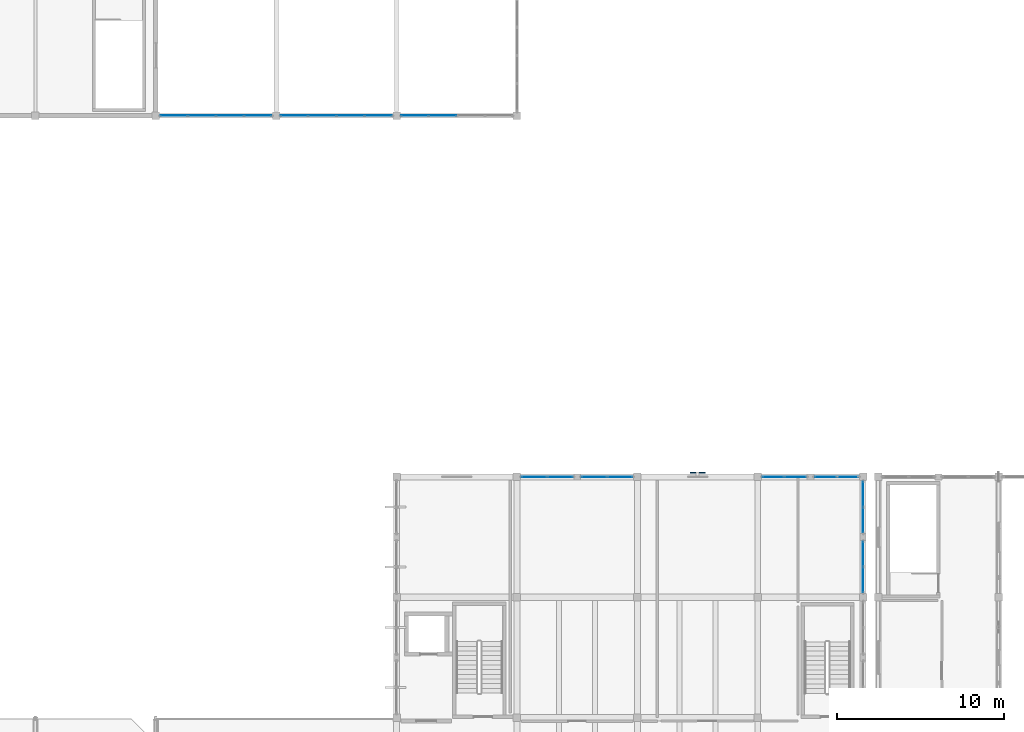
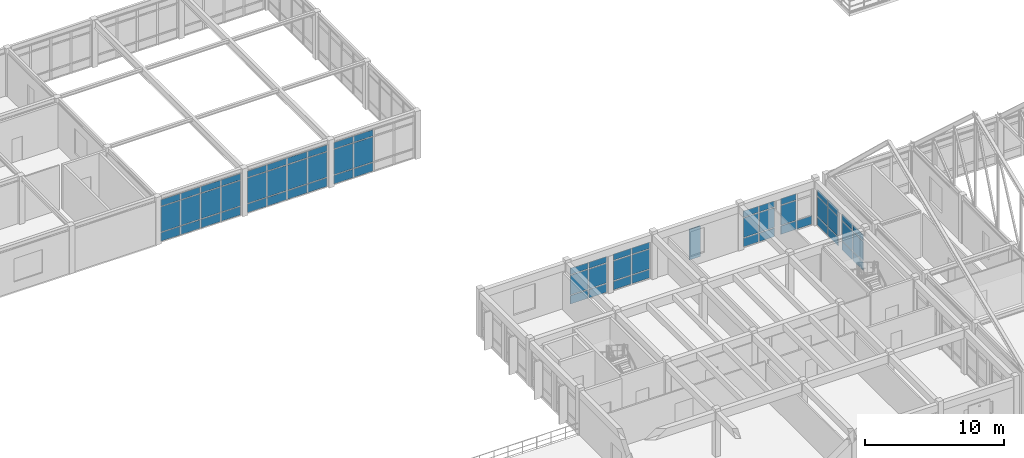
# One storey, part 81 of 136: 65 plates, 9 elements without a shape of their own.
"""IFC4 building model written with IfcOpenShell, lengths in metres."""

from ifc_helpers import new_model, si_unit, direction, frame, origin, origin_2d, place, context, subcontext, project, spatial, rectangle, extrude, material, layer, layer_set, type_object, element, aggregate, save


model = new_model("IFC4")

# Units and contexts
model_context = context("Model", 3, precision=1e-05, world=origin(), true_north=direction((0.0, 1.0)))
body_context = subcontext(model_context, "Body", "Model", "MODEL_VIEW")
ifc_project = project(units=[si_unit("LENGTHUNIT", "METRE"), si_unit("AREAUNIT", "SQUARE_METRE"), si_unit("VOLUMEUNIT", "CUBIC_METRE"), si_unit("PLANEANGLEUNIT", "RADIAN"), si_unit("MASSUNIT", "GRAM", prefix="KILO")], contexts=[model_context])

# Site, building, storey
site_placement = place(None, origin())
site = spatial("IfcSite", under=ifc_project, at=site_placement, CompositionType="ELEMENT")
building_placement = place(site_placement, origin())
building = spatial("IfcBuilding", under=site, at=building_placement, Name="Koriwan Promenade Central Fire Station", CompositionType="ELEMENT")
storey_placement = place(building_placement, frame((0.0, 0.0, 5.39990234375)))
storey = spatial("IfcBuildingStorey", under=building, at=storey_placement, Name="L01", CompositionType="ELEMENT", Elevation=5.39990234375)

# Curtain wall, plates
ifc_material_1 = material(Name="Aluminium EN AW-6063-T6 and low-E glazing", Category="aluminium")
ifc_layer_1 = layer(ifc_material_1, 0.159912109375, Name="Aluminium EN AW-6063-T6 and low-E glazing")
ifc_layer_set_1 = layer_set([ifc_layer_1], Name="Aluminium EN AW-6063-T6 and low-E glazing")
curtain_wall_type_1 = type_object("IfcCurtainWallType", Name="CurtainWall_94_675x378", PredefinedType="USERDEFINED", material=ifc_layer_set_1)
curtain_wall_1_placement = place(storey_placement, origin())
curtain_wall_1 = element("IfcCurtainWall", 1, at=curtain_wall_1_placement, inside=storey, type_object=curtain_wall_type_1, Name="V6 L01 unitised curtain wall 299", ObjectType="UNITISED CURTAIN WALL", PredefinedType="USERDEFINED")
ifc_material_2 = material(Name="Low-E laminated double glazing", Category="glass")
ifc_layer_2 = layer(ifc_material_2, 0.028076171875, Name="Low-E laminated double glazing")
ifc_layer_set_2 = layer_set([ifc_layer_2], Name="Low-E laminated double glazing")
plate_type_1 = type_object("IfcPlateType", Name="CWPanel_28", PredefinedType="CURTAIN_PANEL", material=ifc_layer_set_2)
plate_1_placement = place(storey_placement, frame((15.485107421875, 93.60009765625, 0.065185546875), z_axis=(0.0, 0.0, 1.0), x_axis=(1.0, 0.0, 0.0)))
plate_1 = element("IfcPlate", 2, at=plate_1_placement, type_object=plate_type_1, Name="CW-94 panel 1.1", PredefinedType="CURTAIN_PANEL", context=body_context, shape_type="SweptSolid", body=[
    extrude(rectangle(XDim=1.590087890625, YDim=0.028076171875, at=origin_2d()), origin(), (0.0, 0.0, 1.0), 0.75244140625),
])
plate_2_placement = place(storey_placement, frame((15.485107421875, 93.60009765625, 0.882568359375), z_axis=(0.0, 0.0, 1.0), x_axis=(1.0, 0.0, 0.0)))
plate_2 = element("IfcPlate", 3, at=plate_2_placement, type_object=plate_type_1, Name="CW-94 panel 1.2", PredefinedType="CURTAIN_PANEL", context=body_context, shape_type="SweptSolid", body=[
    extrude(rectangle(XDim=1.590087890625, YDim=0.028076171875, at=origin_2d()), origin(), (0.0, 0.0, 1.0), 2.2099609375),
])
plate_3_placement = place(storey_placement, frame((15.485107421875, 93.60009765625, 3.15771484375), z_axis=(0.0, 0.0, 1.0), x_axis=(1.0, 0.0, 0.0)))
plate_3 = element("IfcPlate", 4, at=plate_3_placement, type_object=plate_type_1, Name="CW-94 panel 1.3", PredefinedType="CURTAIN_PANEL", context=body_context, shape_type="SweptSolid", body=[
    extrude(rectangle(XDim=1.590087890625, YDim=0.028076171875, at=origin_2d()), origin(), (0.0, 0.0, 1.0), 0.552490234375),
])
plate_4_placement = place(storey_placement, frame((17.15625, 93.60009765625, 0.065185546875), z_axis=(0.0, 0.0, 1.0), x_axis=(1.0, 0.0, 0.0)))
plate_4 = element("IfcPlate", 5, at=plate_4_placement, type_object=plate_type_1, Name="CW-94 panel 2.1", PredefinedType="CURTAIN_PANEL", context=body_context, shape_type="SweptSolid", body=[
    extrude(rectangle(XDim=1.62255859375, YDim=0.028076171875, at=origin_2d()), origin(), (0.0, 0.0, 1.0), 0.75244140625),
])
plate_5_placement = place(storey_placement, frame((17.15625, 93.60009765625, 0.882568359375), z_axis=(0.0, 0.0, 1.0), x_axis=(1.0, 0.0, 0.0)))
plate_5 = element("IfcPlate", 6, at=plate_5_placement, type_object=plate_type_1, Name="CW-94 panel 2.2", PredefinedType="CURTAIN_PANEL", context=body_context, shape_type="SweptSolid", body=[
    extrude(rectangle(XDim=1.62255859375, YDim=0.028076171875, at=origin_2d()), origin(), (0.0, 0.0, 1.0), 2.2099609375),
])
plate_6_placement = place(storey_placement, frame((17.15625, 93.60009765625, 3.15771484375), z_axis=(0.0, 0.0, 1.0), x_axis=(1.0, 0.0, 0.0)))
plate_6 = element("IfcPlate", 7, at=plate_6_placement, type_object=plate_type_1, Name="CW-94 panel 2.3", PredefinedType="CURTAIN_PANEL", context=body_context, shape_type="SweptSolid", body=[
    extrude(rectangle(XDim=1.62255859375, YDim=0.028076171875, at=origin_2d()), origin(), (0.0, 0.0, 1.0), 0.552490234375),
])
plate_7_placement = place(storey_placement, frame((18.84375, 93.60009765625, 0.065185546875), z_axis=(0.0, 0.0, 1.0), x_axis=(1.0, 0.0, 0.0)))
plate_7 = element("IfcPlate", 8, at=plate_7_placement, type_object=plate_type_1, Name="CW-94 panel 3.1", PredefinedType="CURTAIN_PANEL", context=body_context, shape_type="SweptSolid", body=[
    extrude(rectangle(XDim=1.62255859375, YDim=0.028076171875, at=origin_2d()), origin(), (0.0, 0.0, 1.0), 0.75244140625),
])
plate_8_placement = place(storey_placement, frame((18.84375, 93.60009765625, 0.882568359375), z_axis=(0.0, 0.0, 1.0), x_axis=(1.0, 0.0, 0.0)))
plate_8 = element("IfcPlate", 9, at=plate_8_placement, type_object=plate_type_1, Name="CW-94 panel 3.2", PredefinedType="CURTAIN_PANEL", context=body_context, shape_type="SweptSolid", body=[
    extrude(rectangle(XDim=1.62255859375, YDim=0.028076171875, at=origin_2d()), origin(), (0.0, 0.0, 1.0), 2.2099609375),
])
plate_9_placement = place(storey_placement, frame((18.84375, 93.60009765625, 3.15771484375), z_axis=(0.0, 0.0, 1.0), x_axis=(1.0, 0.0, 0.0)))
plate_9 = element("IfcPlate", 10, at=plate_9_placement, type_object=plate_type_1, Name="CW-94 panel 3.3", PredefinedType="CURTAIN_PANEL", context=body_context, shape_type="SweptSolid", body=[
    extrude(rectangle(XDim=1.62255859375, YDim=0.028076171875, at=origin_2d()), origin(), (0.0, 0.0, 1.0), 0.552490234375),
])
plate_10_placement = place(storey_placement, frame((20.514892578125, 93.60009765625, 0.065185546875), z_axis=(0.0, 0.0, 1.0), x_axis=(1.0, 0.0, 0.0)))
plate_10 = element("IfcPlate", 11, at=plate_10_placement, type_object=plate_type_1, Name="CW-94 panel 4.1", PredefinedType="CURTAIN_PANEL", context=body_context, shape_type="SweptSolid", body=[
    extrude(rectangle(XDim=1.590087890625, YDim=0.028076171875, at=origin_2d()), origin(), (0.0, 0.0, 1.0), 0.75244140625),
])
plate_11_placement = place(storey_placement, frame((20.514892578125, 93.60009765625, 0.882568359375), z_axis=(0.0, 0.0, 1.0), x_axis=(1.0, 0.0, 0.0)))
plate_11 = element("IfcPlate", 12, at=plate_11_placement, type_object=plate_type_1, Name="CW-94 panel 4.2", PredefinedType="CURTAIN_PANEL", context=body_context, shape_type="SweptSolid", body=[
    extrude(rectangle(XDim=1.590087890625, YDim=0.028076171875, at=origin_2d()), origin(), (0.0, 0.0, 1.0), 2.2099609375),
])
plate_12_placement = place(storey_placement, frame((20.514892578125, 93.60009765625, 3.15771484375), z_axis=(0.0, 0.0, 1.0), x_axis=(1.0, 0.0, 0.0)))
plate_12 = element("IfcPlate", 13, at=plate_12_placement, type_object=plate_type_1, Name="CW-94 panel 4.3", PredefinedType="CURTAIN_PANEL", context=body_context, shape_type="SweptSolid", body=[
    extrude(rectangle(XDim=1.590087890625, YDim=0.028076171875, at=origin_2d()), origin(), (0.0, 0.0, 1.0), 0.552490234375),
])
aggregate(curtain_wall_1, [plate_1, plate_2, plate_3, plate_4, plate_5, plate_6, plate_7, plate_8, plate_9, plate_10, plate_11, plate_12])

curtain_wall_2_placement = place(storey_placement, origin())
curtain_wall_2 = element("IfcCurtainWall", 14, at=curtain_wall_2_placement, inside=storey, type_object=curtain_wall_type_1, Name="V6 L01 unitised curtain wall 301", ObjectType="UNITISED CURTAIN WALL", PredefinedType="USERDEFINED")
plate_13_placement = place(storey_placement, frame((22.68505859375, 93.60009765625, 0.065185546875), z_axis=(0.0, 0.0, 1.0), x_axis=(1.0, 0.0, 0.0)))
plate_13 = element("IfcPlate", 15, at=plate_13_placement, type_object=plate_type_1, Name="CW-94 panel 1.1", PredefinedType="CURTAIN_PANEL", context=body_context, shape_type="SweptSolid", body=[
    extrude(rectangle(XDim=1.590087890625, YDim=0.028076171875, at=origin_2d()), origin(), (0.0, 0.0, 1.0), 0.75244140625),
])
plate_14_placement = place(storey_placement, frame((22.68505859375, 93.60009765625, 0.882568359375), z_axis=(0.0, 0.0, 1.0), x_axis=(1.0, 0.0, 0.0)))
plate_14 = element("IfcPlate", 16, at=plate_14_placement, type_object=plate_type_1, Name="CW-94 panel 1.2", PredefinedType="CURTAIN_PANEL", context=body_context, shape_type="SweptSolid", body=[
    extrude(rectangle(XDim=1.590087890625, YDim=0.028076171875, at=origin_2d()), origin(), (0.0, 0.0, 1.0), 2.2099609375),
])
plate_15_placement = place(storey_placement, frame((22.68505859375, 93.60009765625, 3.15771484375), z_axis=(0.0, 0.0, 1.0), x_axis=(1.0, 0.0, 0.0)))
plate_15 = element("IfcPlate", 17, at=plate_15_placement, type_object=plate_type_1, Name="CW-94 panel 1.3", PredefinedType="CURTAIN_PANEL", context=body_context, shape_type="SweptSolid", body=[
    extrude(rectangle(XDim=1.590087890625, YDim=0.028076171875, at=origin_2d()), origin(), (0.0, 0.0, 1.0), 0.552490234375),
])
plate_16_placement = place(storey_placement, frame((24.356201171875, 93.60009765625, 0.065185546875), z_axis=(0.0, 0.0, 1.0), x_axis=(1.0, 0.0, 0.0)))
plate_16 = element("IfcPlate", 18, at=plate_16_placement, type_object=plate_type_1, Name="CW-94 panel 2.1", PredefinedType="CURTAIN_PANEL", context=body_context, shape_type="SweptSolid", body=[
    extrude(rectangle(XDim=1.62255859375, YDim=0.028076171875, at=origin_2d()), origin(), (0.0, 0.0, 1.0), 0.75244140625),
])
plate_17_placement = place(storey_placement, frame((24.356201171875, 93.60009765625, 0.882568359375), z_axis=(0.0, 0.0, 1.0), x_axis=(1.0, 0.0, 0.0)))
plate_17 = element("IfcPlate", 19, at=plate_17_placement, type_object=plate_type_1, Name="CW-94 panel 2.2", PredefinedType="CURTAIN_PANEL", context=body_context, shape_type="SweptSolid", body=[
    extrude(rectangle(XDim=1.62255859375, YDim=0.028076171875, at=origin_2d()), origin(), (0.0, 0.0, 1.0), 2.2099609375),
])
plate_18_placement = place(storey_placement, frame((24.356201171875, 93.60009765625, 3.15771484375), z_axis=(0.0, 0.0, 1.0), x_axis=(1.0, 0.0, 0.0)))
plate_18 = element("IfcPlate", 20, at=plate_18_placement, type_object=plate_type_1, Name="CW-94 panel 2.3", PredefinedType="CURTAIN_PANEL", context=body_context, shape_type="SweptSolid", body=[
    extrude(rectangle(XDim=1.62255859375, YDim=0.028076171875, at=origin_2d()), origin(), (0.0, 0.0, 1.0), 0.552490234375),
])
plate_19_placement = place(storey_placement, frame((26.043701171875, 93.60009765625, 0.065185546875), z_axis=(0.0, 0.0, 1.0), x_axis=(1.0, 0.0, 0.0)))
plate_19 = element("IfcPlate", 21, at=plate_19_placement, type_object=plate_type_1, Name="CW-94 panel 3.1", PredefinedType="CURTAIN_PANEL", context=body_context, shape_type="SweptSolid", body=[
    extrude(rectangle(XDim=1.62255859375, YDim=0.028076171875, at=origin_2d()), origin(), (0.0, 0.0, 1.0), 0.75244140625),
])
plate_20_placement = place(storey_placement, frame((26.043701171875, 93.60009765625, 0.882568359375), z_axis=(0.0, 0.0, 1.0), x_axis=(1.0, 0.0, 0.0)))
plate_20 = element("IfcPlate", 22, at=plate_20_placement, type_object=plate_type_1, Name="CW-94 panel 3.2", PredefinedType="CURTAIN_PANEL", context=body_context, shape_type="SweptSolid", body=[
    extrude(rectangle(XDim=1.62255859375, YDim=0.028076171875, at=origin_2d()), origin(), (0.0, 0.0, 1.0), 2.2099609375),
])
plate_21_placement = place(storey_placement, frame((26.043701171875, 93.60009765625, 3.15771484375), z_axis=(0.0, 0.0, 1.0), x_axis=(1.0, 0.0, 0.0)))
plate_21 = element("IfcPlate", 23, at=plate_21_placement, type_object=plate_type_1, Name="CW-94 panel 3.3", PredefinedType="CURTAIN_PANEL", context=body_context, shape_type="SweptSolid", body=[
    extrude(rectangle(XDim=1.62255859375, YDim=0.028076171875, at=origin_2d()), origin(), (0.0, 0.0, 1.0), 0.552490234375),
])
plate_22_placement = place(storey_placement, frame((27.715087890625, 93.60009765625, 0.065185546875), z_axis=(0.0, 0.0, 1.0), x_axis=(1.0, 0.0, 0.0)))
plate_22 = element("IfcPlate", 24, at=plate_22_placement, type_object=plate_type_1, Name="CW-94 panel 4.1", PredefinedType="CURTAIN_PANEL", context=body_context, shape_type="SweptSolid", body=[
    extrude(rectangle(XDim=1.590087890625, YDim=0.028076171875, at=origin_2d()), origin(), (0.0, 0.0, 1.0), 0.75244140625),
])
plate_23_placement = place(storey_placement, frame((27.715087890625, 93.60009765625, 0.882568359375), z_axis=(0.0, 0.0, 1.0), x_axis=(1.0, 0.0, 0.0)))
plate_23 = element("IfcPlate", 25, at=plate_23_placement, type_object=plate_type_1, Name="CW-94 panel 4.2", PredefinedType="CURTAIN_PANEL", context=body_context, shape_type="SweptSolid", body=[
    extrude(rectangle(XDim=1.590087890625, YDim=0.028076171875, at=origin_2d()), origin(), (0.0, 0.0, 1.0), 2.2099609375),
])
plate_24_placement = place(storey_placement, frame((27.715087890625, 93.60009765625, 3.15771484375), z_axis=(0.0, 0.0, 1.0), x_axis=(1.0, 0.0, 0.0)))
plate_24 = element("IfcPlate", 26, at=plate_24_placement, type_object=plate_type_1, Name="CW-94 panel 4.3", PredefinedType="CURTAIN_PANEL", context=body_context, shape_type="SweptSolid", body=[
    extrude(rectangle(XDim=1.590087890625, YDim=0.028076171875, at=origin_2d()), origin(), (0.0, 0.0, 1.0), 0.552490234375),
])
aggregate(curtain_wall_2, [plate_13, plate_14, plate_15, plate_16, plate_17, plate_18, plate_19, plate_20, plate_21, plate_22, plate_23, plate_24])

curtain_wall_3_placement = place(storey_placement, origin())
curtain_wall_3 = element("IfcCurtainWall", 27, at=curtain_wall_3_placement, inside=storey, type_object=curtain_wall_type_1, Name="V6 L01 unitised curtain wall 303", ObjectType="UNITISED CURTAIN WALL", PredefinedType="USERDEFINED")
plate_25_placement = place(storey_placement, frame((29.885009765625, 93.60009765625, 0.065185546875), z_axis=(0.0, 0.0, 1.0), x_axis=(1.0, 0.0, 0.0)))
plate_25 = element("IfcPlate", 28, at=plate_25_placement, type_object=plate_type_1, Name="CW-94 panel 1.1", PredefinedType="CURTAIN_PANEL", context=body_context, shape_type="SweptSolid", body=[
    extrude(rectangle(XDim=1.590087890625, YDim=0.028076171875, at=origin_2d()), origin(), (0.0, 0.0, 1.0), 0.75244140625),
])
plate_26_placement = place(storey_placement, frame((29.885009765625, 93.60009765625, 0.882568359375), z_axis=(0.0, 0.0, 1.0), x_axis=(1.0, 0.0, 0.0)))
plate_26 = element("IfcPlate", 29, at=plate_26_placement, type_object=plate_type_1, Name="CW-94 panel 1.2", PredefinedType="CURTAIN_PANEL", context=body_context, shape_type="SweptSolid", body=[
    extrude(rectangle(XDim=1.590087890625, YDim=0.028076171875, at=origin_2d()), origin(), (0.0, 0.0, 1.0), 2.2099609375),
])
plate_27_placement = place(storey_placement, frame((29.885009765625, 93.60009765625, 3.15771484375), z_axis=(0.0, 0.0, 1.0), x_axis=(1.0, 0.0, 0.0)))
plate_27 = element("IfcPlate", 30, at=plate_27_placement, type_object=plate_type_1, Name="CW-94 panel 1.3", PredefinedType="CURTAIN_PANEL", context=body_context, shape_type="SweptSolid", body=[
    extrude(rectangle(XDim=1.590087890625, YDim=0.028076171875, at=origin_2d()), origin(), (0.0, 0.0, 1.0), 0.552490234375),
])
plate_28_placement = place(storey_placement, frame((31.55615234375, 93.60009765625, 0.065185546875), z_axis=(0.0, 0.0, 1.0), x_axis=(1.0, 0.0, 0.0)))
plate_28 = element("IfcPlate", 31, at=plate_28_placement, type_object=plate_type_1, Name="CW-94 panel 2.1", PredefinedType="CURTAIN_PANEL", context=body_context, shape_type="SweptSolid", body=[
    extrude(rectangle(XDim=1.62255859375, YDim=0.028076171875, at=origin_2d()), origin(), (0.0, 0.0, 1.0), 0.75244140625),
])
plate_29_placement = place(storey_placement, frame((31.55615234375, 93.60009765625, 0.882568359375), z_axis=(0.0, 0.0, 1.0), x_axis=(1.0, 0.0, 0.0)))
plate_29 = element("IfcPlate", 32, at=plate_29_placement, type_object=plate_type_1, Name="CW-94 panel 2.2", PredefinedType="CURTAIN_PANEL", context=body_context, shape_type="SweptSolid", body=[
    extrude(rectangle(XDim=1.62255859375, YDim=0.028076171875, at=origin_2d()), origin(), (0.0, 0.0, 1.0), 2.2099609375),
])
plate_30_placement = place(storey_placement, frame((31.55615234375, 93.60009765625, 3.15771484375), z_axis=(0.0, 0.0, 1.0), x_axis=(1.0, 0.0, 0.0)))
plate_30 = element("IfcPlate", 33, at=plate_30_placement, type_object=plate_type_1, Name="CW-94 panel 2.3", PredefinedType="CURTAIN_PANEL", context=body_context, shape_type="SweptSolid", body=[
    extrude(rectangle(XDim=1.62255859375, YDim=0.028076171875, at=origin_2d()), origin(), (0.0, 0.0, 1.0), 0.552490234375),
])
aggregate(curtain_wall_3, [plate_25, plate_26, plate_27, plate_28, plate_29, plate_30])

ifc_layer_3 = layer(ifc_material_1, 0.159912109375, Name="Aluminium EN AW-6063-T6 and low-E glazing")
ifc_layer_set_3 = layer_set([ifc_layer_3], Name="Aluminium EN AW-6063-T6 and low-E glazing")
curtain_wall_type_2 = type_object("IfcCurtainWallType", Name="CurtainWall_46_317x329", PredefinedType="USERDEFINED", material=ifc_layer_set_3)
curtain_wall_4_placement = place(storey_placement, origin())
curtain_wall_4 = element("IfcCurtainWall", 34, at=curtain_wall_4_placement, inside=storey, type_object=curtain_wall_type_2, Name="V4 L01 unitised curtain wall 115", ObjectType="UNITISED CURTAIN WALL", PredefinedType="USERDEFINED")
ifc_material_3 = material(Name="Solar-control low-E acoustic glazing", Category="glass")
ifc_layer_4 = layer(ifc_material_3, 0.031982421875, Name="Solar-control low-E acoustic glazing")
ifc_layer_set_4 = layer_set([ifc_layer_4], Name="Solar-control low-E acoustic glazing")
plate_type_2 = type_object("IfcPlateType", Name="CWPanel_32", PredefinedType="CURTAIN_PANEL", material=ifc_layer_set_4)
plate_31_placement = place(storey_placement, frame((56.699951171875, 65.83740234375, 0.0751953125), z_axis=(0.0, 0.0, 1.0), x_axis=(0.0, 1.0, 0.0)))
plate_31 = element("IfcPlate", 35, at=plate_31_placement, type_object=plate_type_2, Name="CW-46 panel 1.1", PredefinedType="CURTAIN_PANEL", context=body_context, shape_type="SweptSolid", body=[
    extrude(rectangle(XDim=1.47509765625, YDim=0.031982421875, at=origin_2d()), origin(), (0.0, 0.0, 1.0), 0.737548828125),
])
plate_32_placement = place(storey_placement, frame((56.699951171875, 65.83740234375, 0.8876953125), z_axis=(0.0, 0.0, 1.0), x_axis=(0.0, 1.0, 0.0)))
plate_32 = element("IfcPlate", 36, at=plate_32_placement, type_object=plate_type_2, Name="CW-46 panel 1.2", PredefinedType="CURTAIN_PANEL", context=body_context, shape_type="SweptSolid", body=[
    extrude(rectangle(XDim=1.47509765625, YDim=0.031982421875, at=origin_2d()), origin(), (0.0, 0.0, 1.0), 1.715087890625),
])
plate_33_placement = place(storey_placement, frame((56.699951171875, 65.83740234375, 2.677490234375), z_axis=(0.0, 0.0, 1.0), x_axis=(0.0, 1.0, 0.0)))
plate_33 = element("IfcPlate", 37, at=plate_33_placement, type_object=plate_type_2, Name="CW-46 panel 1.3", PredefinedType="CURTAIN_PANEL", context=body_context, shape_type="SweptSolid", body=[
    extrude(rectangle(XDim=1.47509765625, YDim=0.031982421875, at=origin_2d()), origin(), (0.0, 0.0, 1.0), 0.53759765625),
])
plate_34_placement = place(storey_placement, frame((56.699951171875, 67.387451171875, 0.0751953125), z_axis=(0.0, 0.0, 1.0), x_axis=(0.0, 1.0, 0.0)))
plate_34 = element("IfcPlate", 38, at=plate_34_placement, type_object=plate_type_2, Name="CW-46 panel 2.1", PredefinedType="CURTAIN_PANEL", context=body_context, shape_type="SweptSolid", body=[
    extrude(rectangle(XDim=1.47509765625, YDim=0.031982421875, at=origin_2d()), origin(), (0.0, 0.0, 1.0), 0.737548828125),
])
plate_35_placement = place(storey_placement, frame((56.699951171875, 67.387451171875, 0.8876953125), z_axis=(0.0, 0.0, 1.0), x_axis=(0.0, 1.0, 0.0)))
plate_35 = element("IfcPlate", 39, at=plate_35_placement, type_object=plate_type_2, Name="CW-46 panel 2.2", PredefinedType="CURTAIN_PANEL", context=body_context, shape_type="SweptSolid", body=[
    extrude(rectangle(XDim=1.47509765625, YDim=0.031982421875, at=origin_2d()), origin(), (0.0, 0.0, 1.0), 1.715087890625),
])
plate_36_placement = place(storey_placement, frame((56.699951171875, 67.387451171875, 2.677490234375), z_axis=(0.0, 0.0, 1.0), x_axis=(0.0, 1.0, 0.0)))
plate_36 = element("IfcPlate", 40, at=plate_36_placement, type_object=plate_type_2, Name="CW-46 panel 2.3", PredefinedType="CURTAIN_PANEL", context=body_context, shape_type="SweptSolid", body=[
    extrude(rectangle(XDim=1.47509765625, YDim=0.031982421875, at=origin_2d()), origin(), (0.0, 0.0, 1.0), 0.53759765625),
])
aggregate(curtain_wall_4, [plate_31, plate_32, plate_33, plate_34, plate_35, plate_36])

ifc_layer_5 = layer(ifc_material_1, 0.159912109375, Name="Aluminium EN AW-6063-T6 and low-E glazing")
ifc_layer_set_5 = layer_set([ifc_layer_5], Name="Aluminium EN AW-6063-T6 and low-E glazing")
curtain_wall_type_3 = type_object("IfcCurtainWallType", Name="CurtainWall_28_318x329", PredefinedType="USERDEFINED", material=ifc_layer_set_5)
curtain_wall_5_placement = place(storey_placement, origin())
curtain_wall_5 = element("IfcCurtainWall", 41, at=curtain_wall_5_placement, inside=storey, type_object=curtain_wall_type_3, Name="V4 L01 unitised curtain wall 116", ObjectType="UNITISED CURTAIN WALL", PredefinedType="USERDEFINED")
plate_37_placement = place(storey_placement, frame((56.699951171875, 69.41259765625, 0.0751953125), z_axis=(0.0, 0.0, 1.0), x_axis=(0.0, 1.0, 0.0)))
plate_37 = element("IfcPlate", 42, at=plate_37_placement, type_object=plate_type_2, Name="CW-28 panel 1.1", PredefinedType="CURTAIN_PANEL", context=body_context, shape_type="SweptSolid", body=[
    extrude(rectangle(XDim=1.47509765625, YDim=0.031982421875, at=origin_2d()), origin(), (0.0, 0.0, 1.0), 0.737548828125),
])
plate_38_placement = place(storey_placement, frame((56.699951171875, 69.41259765625, 0.8876953125), z_axis=(0.0, 0.0, 1.0), x_axis=(0.0, 1.0, 0.0)))
plate_38 = element("IfcPlate", 43, at=plate_38_placement, type_object=plate_type_2, Name="CW-28 panel 1.2", PredefinedType="CURTAIN_PANEL", context=body_context, shape_type="SweptSolid", body=[
    extrude(rectangle(XDim=1.47509765625, YDim=0.031982421875, at=origin_2d()), origin(), (0.0, 0.0, 1.0), 1.715087890625),
])
plate_39_placement = place(storey_placement, frame((56.699951171875, 69.41259765625, 2.677490234375), z_axis=(0.0, 0.0, 1.0), x_axis=(0.0, 1.0, 0.0)))
plate_39 = element("IfcPlate", 44, at=plate_39_placement, type_object=plate_type_2, Name="CW-28 panel 1.3", PredefinedType="CURTAIN_PANEL", context=body_context, shape_type="SweptSolid", body=[
    extrude(rectangle(XDim=1.47509765625, YDim=0.031982421875, at=origin_2d()), origin(), (0.0, 0.0, 1.0), 0.53759765625),
])
plate_40_placement = place(storey_placement, frame((56.699951171875, 70.96240234375, 0.0751953125), z_axis=(0.0, 0.0, 1.0), x_axis=(0.0, 1.0, 0.0)))
plate_40 = element("IfcPlate", 45, at=plate_40_placement, type_object=plate_type_2, Name="CW-28 panel 2.1", PredefinedType="CURTAIN_PANEL", context=body_context, shape_type="SweptSolid", body=[
    extrude(rectangle(XDim=1.47509765625, YDim=0.031982421875, at=origin_2d()), origin(), (0.0, 0.0, 1.0), 0.737548828125),
])
plate_41_placement = place(storey_placement, frame((56.699951171875, 70.96240234375, 0.8876953125), z_axis=(0.0, 0.0, 1.0), x_axis=(0.0, 1.0, 0.0)))
plate_41 = element("IfcPlate", 46, at=plate_41_placement, type_object=plate_type_2, Name="CW-28 panel 2.2", PredefinedType="CURTAIN_PANEL", context=body_context, shape_type="SweptSolid", body=[
    extrude(rectangle(XDim=1.47509765625, YDim=0.031982421875, at=origin_2d()), origin(), (0.0, 0.0, 1.0), 1.715087890625),
])
plate_42_placement = place(storey_placement, frame((56.699951171875, 70.96240234375, 2.677490234375), z_axis=(0.0, 0.0, 1.0), x_axis=(0.0, 1.0, 0.0)))
plate_42 = element("IfcPlate", 47, at=plate_42_placement, type_object=plate_type_2, Name="CW-28 panel 2.3", PredefinedType="CURTAIN_PANEL", context=body_context, shape_type="SweptSolid", body=[
    extrude(rectangle(XDim=1.47509765625, YDim=0.031982421875, at=origin_2d()), origin(), (0.0, 0.0, 1.0), 0.53759765625),
])
aggregate(curtain_wall_5, [plate_37, plate_38, plate_39, plate_40, plate_41, plate_42])

ifc_layer_6 = layer(ifc_material_1, 0.159912109375, Name="Aluminium EN AW-6063-T6 and low-E glazing")
ifc_layer_set_6 = layer_set([ifc_layer_6], Name="Aluminium EN AW-6063-T6 and low-E glazing")
curtain_wall_type_4 = type_object("IfcCurtainWallType", Name="CurtainWall_47_273x329", PredefinedType="USERDEFINED", material=ifc_layer_set_6)
curtain_wall_6_placement = place(storey_placement, origin())
curtain_wall_6 = element("IfcCurtainWall", 48, at=curtain_wall_6_placement, inside=storey, type_object=curtain_wall_type_4, Name="V4 L01 unitised curtain wall 117", ObjectType="UNITISED CURTAIN WALL", PredefinedType="USERDEFINED")
plate_43_placement = place(storey_placement, frame((55.77490234375, 72.0, 0.0751953125), z_axis=(0.0, 0.0, 1.0), x_axis=(-1.0, 0.0, 0.0)))
plate_43 = element("IfcPlate", 49, at=plate_43_placement, type_object=plate_type_2, Name="CW-47 panel 1.1", PredefinedType="CURTAIN_PANEL", context=body_context, shape_type="SweptSolid", body=[
    extrude(rectangle(XDim=1.25, YDim=0.031982421875, at=origin_2d()), origin(), (0.0, 0.0, 1.0), 0.737548828125),
])
plate_44_placement = place(storey_placement, frame((54.449951171875, 72.0, 0.0751953125), z_axis=(0.0, 0.0, 1.0), x_axis=(-1.0, 0.0, 0.0)))
plate_44 = element("IfcPlate", 50, at=plate_44_placement, type_object=plate_type_2, Name="CW-47 panel 2.1", PredefinedType="CURTAIN_PANEL", context=body_context, shape_type="SweptSolid", body=[
    extrude(rectangle(XDim=1.25, YDim=0.031982421875, at=origin_2d()), origin(), (0.0, 0.0, 1.0), 0.737548828125),
])
plate_45_placement = place(storey_placement, frame((54.449951171875, 72.0, 0.8876953125), z_axis=(0.0, 0.0, 1.0), x_axis=(-1.0, 0.0, 0.0)))
plate_45 = element("IfcPlate", 51, at=plate_45_placement, type_object=plate_type_2, Name="CW-47 panel 2.2", PredefinedType="CURTAIN_PANEL", context=body_context, shape_type="SweptSolid", body=[
    extrude(rectangle(XDim=1.25, YDim=0.031982421875, at=origin_2d()), origin(), (0.0, 0.0, 1.0), 1.715087890625),
])
plate_46_placement = place(storey_placement, frame((54.449951171875, 72.0, 2.677490234375), z_axis=(0.0, 0.0, 1.0), x_axis=(-1.0, 0.0, 0.0)))
plate_46 = element("IfcPlate", 52, at=plate_46_placement, type_object=plate_type_2, Name="CW-47 panel 2.3", PredefinedType="CURTAIN_PANEL", context=body_context, shape_type="SweptSolid", body=[
    extrude(rectangle(XDim=1.25, YDim=0.031982421875, at=origin_2d()), origin(), (0.0, 0.0, 1.0), 0.53759765625),
])
aggregate(curtain_wall_6, [plate_43, plate_44, plate_45, plate_46])

curtain_wall_7_placement = place(storey_placement, origin())
curtain_wall_7 = element("IfcCurtainWall", 53, at=curtain_wall_7_placement, inside=storey, type_object=curtain_wall_type_4, Name="V4 L01 unitised curtain wall 118", ObjectType="UNITISED CURTAIN WALL", PredefinedType="USERDEFINED")
plate_47_placement = place(storey_placement, frame((52.64990234375, 72.0, 0.0751953125), z_axis=(0.0, 0.0, 1.0), x_axis=(-1.0, 0.0, 0.0)))
plate_47 = element("IfcPlate", 54, at=plate_47_placement, type_object=plate_type_2, Name="CW-47 panel 1.1", PredefinedType="CURTAIN_PANEL", context=body_context, shape_type="SweptSolid", body=[
    extrude(rectangle(XDim=1.25, YDim=0.031982421875, at=origin_2d()), origin(), (0.0, 0.0, 1.0), 0.737548828125),
])
plate_48_placement = place(storey_placement, frame((52.64990234375, 72.0, 0.8876953125), z_axis=(0.0, 0.0, 1.0), x_axis=(-1.0, 0.0, 0.0)))
plate_48 = element("IfcPlate", 55, at=plate_48_placement, type_object=plate_type_2, Name="CW-47 panel 1.2", PredefinedType="CURTAIN_PANEL", context=body_context, shape_type="SweptSolid", body=[
    extrude(rectangle(XDim=1.25, YDim=0.031982421875, at=origin_2d()), origin(), (0.0, 0.0, 1.0), 1.715087890625),
])
plate_49_placement = place(storey_placement, frame((52.64990234375, 72.0, 2.677490234375), z_axis=(0.0, 0.0, 1.0), x_axis=(-1.0, 0.0, 0.0)))
plate_49 = element("IfcPlate", 56, at=plate_49_placement, type_object=plate_type_2, Name="CW-47 panel 1.3", PredefinedType="CURTAIN_PANEL", context=body_context, shape_type="SweptSolid", body=[
    extrude(rectangle(XDim=1.25, YDim=0.031982421875, at=origin_2d()), origin(), (0.0, 0.0, 1.0), 0.53759765625),
])
plate_50_placement = place(storey_placement, frame((51.324951171875, 72.0, 0.0751953125), z_axis=(0.0, 0.0, 1.0), x_axis=(-1.0, 0.0, 0.0)))
plate_50 = element("IfcPlate", 57, at=plate_50_placement, type_object=plate_type_2, Name="CW-47 panel 2.1", PredefinedType="CURTAIN_PANEL", context=body_context, shape_type="SweptSolid", body=[
    extrude(rectangle(XDim=1.25, YDim=0.031982421875, at=origin_2d()), origin(), (0.0, 0.0, 1.0), 0.737548828125),
])
plate_51_placement = place(storey_placement, frame((51.324951171875, 72.0, 0.8876953125), z_axis=(0.0, 0.0, 1.0), x_axis=(-1.0, 0.0, 0.0)))
plate_51 = element("IfcPlate", 58, at=plate_51_placement, type_object=plate_type_2, Name="CW-47 panel 2.2", PredefinedType="CURTAIN_PANEL", context=body_context, shape_type="SweptSolid", body=[
    extrude(rectangle(XDim=1.25, YDim=0.031982421875, at=origin_2d()), origin(), (0.0, 0.0, 1.0), 1.715087890625),
])
plate_52_placement = place(storey_placement, frame((51.324951171875, 72.0, 2.677490234375), z_axis=(0.0, 0.0, 1.0), x_axis=(-1.0, 0.0, 0.0)))
plate_52 = element("IfcPlate", 59, at=plate_52_placement, type_object=plate_type_2, Name="CW-47 panel 2.3", PredefinedType="CURTAIN_PANEL", context=body_context, shape_type="SweptSolid", body=[
    extrude(rectangle(XDim=1.25, YDim=0.031982421875, at=origin_2d()), origin(), (0.0, 0.0, 1.0), 0.53759765625),
])
aggregate(curtain_wall_7, [plate_47, plate_48, plate_49, plate_50, plate_51, plate_52])

curtain_wall_8_placement = place(storey_placement, origin())
curtain_wall_8 = element("IfcCurtainWall", 60, at=curtain_wall_8_placement, inside=storey, type_object=curtain_wall_type_3, Name="V4 L01 unitised curtain wall 119", ObjectType="UNITISED CURTAIN WALL", PredefinedType="USERDEFINED")
plate_53_placement = place(storey_placement, frame((42.16259765625, 72.0, 0.0751953125), z_axis=(0.0, 0.0, 1.0), x_axis=(-1.0, 0.0, 0.0)))
plate_53 = element("IfcPlate", 61, at=plate_53_placement, type_object=plate_type_2, Name="CW-28 panel 1.1", PredefinedType="CURTAIN_PANEL", context=body_context, shape_type="SweptSolid", body=[
    extrude(rectangle(XDim=1.47509765625, YDim=0.031982421875, at=origin_2d()), origin(), (0.0, 0.0, 1.0), 0.737548828125),
])
plate_54_placement = place(storey_placement, frame((42.16259765625, 72.0, 0.8876953125), z_axis=(0.0, 0.0, 1.0), x_axis=(-1.0, 0.0, 0.0)))
plate_54 = element("IfcPlate", 62, at=plate_54_placement, type_object=plate_type_2, Name="CW-28 panel 1.2", PredefinedType="CURTAIN_PANEL", context=body_context, shape_type="SweptSolid", body=[
    extrude(rectangle(XDim=1.47509765625, YDim=0.031982421875, at=origin_2d()), origin(), (0.0, 0.0, 1.0), 1.715087890625),
])
plate_55_placement = place(storey_placement, frame((42.16259765625, 72.0, 2.677490234375), z_axis=(0.0, 0.0, 1.0), x_axis=(-1.0, 0.0, 0.0)))
plate_55 = element("IfcPlate", 63, at=plate_55_placement, type_object=plate_type_2, Name="CW-28 panel 1.3", PredefinedType="CURTAIN_PANEL", context=body_context, shape_type="SweptSolid", body=[
    extrude(rectangle(XDim=1.47509765625, YDim=0.031982421875, at=origin_2d()), origin(), (0.0, 0.0, 1.0), 0.53759765625),
])
plate_56_placement = place(storey_placement, frame((40.612548828125, 72.0, 0.0751953125), z_axis=(0.0, 0.0, 1.0), x_axis=(-1.0, 0.0, 0.0)))
plate_56 = element("IfcPlate", 64, at=plate_56_placement, type_object=plate_type_2, Name="CW-28 panel 2.1", PredefinedType="CURTAIN_PANEL", context=body_context, shape_type="SweptSolid", body=[
    extrude(rectangle(XDim=1.47509765625, YDim=0.031982421875, at=origin_2d()), origin(), (0.0, 0.0, 1.0), 0.737548828125),
])
plate_57_placement = place(storey_placement, frame((40.612548828125, 72.0, 0.8876953125), z_axis=(0.0, 0.0, 1.0), x_axis=(-1.0, 0.0, 0.0)))
plate_57 = element("IfcPlate", 65, at=plate_57_placement, type_object=plate_type_2, Name="CW-28 panel 2.2", PredefinedType="CURTAIN_PANEL", context=body_context, shape_type="SweptSolid", body=[
    extrude(rectangle(XDim=1.47509765625, YDim=0.031982421875, at=origin_2d()), origin(), (0.0, 0.0, 1.0), 1.715087890625),
])
plate_58_placement = place(storey_placement, frame((40.612548828125, 72.0, 2.677490234375), z_axis=(0.0, 0.0, 1.0), x_axis=(-1.0, 0.0, 0.0)))
plate_58 = element("IfcPlate", 66, at=plate_58_placement, type_object=plate_type_2, Name="CW-28 panel 2.3", PredefinedType="CURTAIN_PANEL", context=body_context, shape_type="SweptSolid", body=[
    extrude(rectangle(XDim=1.47509765625, YDim=0.031982421875, at=origin_2d()), origin(), (0.0, 0.0, 1.0), 0.53759765625),
])
aggregate(curtain_wall_8, [plate_53, plate_54, plate_55, plate_56, plate_57, plate_58])

curtain_wall_9_placement = place(storey_placement, origin())
curtain_wall_9 = element("IfcCurtainWall", 67, at=curtain_wall_9_placement, inside=storey, type_object=curtain_wall_type_2, Name="V4 L01 unitised curtain wall 120", ObjectType="UNITISED CURTAIN WALL", PredefinedType="USERDEFINED")
plate_59_placement = place(storey_placement, frame((38.58740234375, 72.0, 0.0751953125), z_axis=(0.0, 0.0, 1.0), x_axis=(-1.0, 0.0, 0.0)))
plate_59 = element("IfcPlate", 68, at=plate_59_placement, type_object=plate_type_2, Name="CW-46 panel 1.1", PredefinedType="CURTAIN_PANEL", context=body_context, shape_type="SweptSolid", body=[
    extrude(rectangle(XDim=1.47509765625, YDim=0.031982421875, at=origin_2d()), origin(), (0.0, 0.0, 1.0), 0.737548828125),
])
plate_60_placement = place(storey_placement, frame((38.58740234375, 72.0, 0.8876953125), z_axis=(0.0, 0.0, 1.0), x_axis=(-1.0, 0.0, 0.0)))
plate_60 = element("IfcPlate", 69, at=plate_60_placement, type_object=plate_type_2, Name="CW-46 panel 1.2", PredefinedType="CURTAIN_PANEL", context=body_context, shape_type="SweptSolid", body=[
    extrude(rectangle(XDim=1.47509765625, YDim=0.031982421875, at=origin_2d()), origin(), (0.0, 0.0, 1.0), 1.715087890625),
])
plate_61_placement = place(storey_placement, frame((38.58740234375, 72.0, 2.677490234375), z_axis=(0.0, 0.0, 1.0), x_axis=(-1.0, 0.0, 0.0)))
plate_61 = element("IfcPlate", 70, at=plate_61_placement, type_object=plate_type_2, Name="CW-46 panel 1.3", PredefinedType="CURTAIN_PANEL", context=body_context, shape_type="SweptSolid", body=[
    extrude(rectangle(XDim=1.47509765625, YDim=0.031982421875, at=origin_2d()), origin(), (0.0, 0.0, 1.0), 0.53759765625),
])
plate_62_placement = place(storey_placement, frame((37.03759765625, 72.0, 0.0751953125), z_axis=(0.0, 0.0, 1.0), x_axis=(-1.0, 0.0, 0.0)))
plate_62 = element("IfcPlate", 71, at=plate_62_placement, type_object=plate_type_2, Name="CW-46 panel 2.1", PredefinedType="CURTAIN_PANEL", context=body_context, shape_type="SweptSolid", body=[
    extrude(rectangle(XDim=1.47509765625, YDim=0.031982421875, at=origin_2d()), origin(), (0.0, 0.0, 1.0), 0.737548828125),
])
plate_63_placement = place(storey_placement, frame((37.03759765625, 72.0, 0.8876953125), z_axis=(0.0, 0.0, 1.0), x_axis=(-1.0, 0.0, 0.0)))
plate_63 = element("IfcPlate", 72, at=plate_63_placement, type_object=plate_type_2, Name="CW-46 panel 2.2", PredefinedType="CURTAIN_PANEL", context=body_context, shape_type="SweptSolid", body=[
    extrude(rectangle(XDim=1.47509765625, YDim=0.031982421875, at=origin_2d()), origin(), (0.0, 0.0, 1.0), 1.715087890625),
])
plate_64_placement = place(storey_placement, frame((37.03759765625, 72.0, 2.677490234375), z_axis=(0.0, 0.0, 1.0), x_axis=(-1.0, 0.0, 0.0)))
plate_64 = element("IfcPlate", 73, at=plate_64_placement, type_object=plate_type_2, Name="CW-46 panel 2.3", PredefinedType="CURTAIN_PANEL", context=body_context, shape_type="SweptSolid", body=[
    extrude(rectangle(XDim=1.47509765625, YDim=0.031982421875, at=origin_2d()), origin(), (0.0, 0.0, 1.0), 0.53759765625),
])
aggregate(curtain_wall_9, [plate_59, plate_60, plate_61, plate_62, plate_63, plate_64])

# Plate
ifc_material_4 = material(Name="Precast concrete C40/50", Category="concrete")
ifc_layer_7 = layer(ifc_material_4, 0.080078125, Name="Precast concrete C40/50")
ifc_layer_set_7 = layer_set([ifc_layer_7], Name="Precast concrete C40/50")
plate_type_3 = type_object("IfcPlateType", Name="JaliScreen_JL-01", PredefinedType="USERDEFINED", material=ifc_layer_set_7)
plate_65_placement = place(storey_placement, frame((46.800048828125, 72.25, 0.294921875), z_axis=(0.0, 0.0, 1.0), x_axis=(-1.0, 0.0, 0.0)))
element("IfcPlate", 74, at=plate_65_placement, inside=storey, type_object=plate_type_3, Name="V4 L01 Mughal jali screen 009", ObjectType="JALI SCREEN", PredefinedType="USERDEFINED", context=body_context, shape_type="SweptSolid", body=[
    extrude(rectangle(XDim=0.89990234375, YDim=0.080078125, at=origin_2d()), origin(), (0.0, 0.0, 1.0), 2.699951171875),
])

save(model, "model.ifc")
